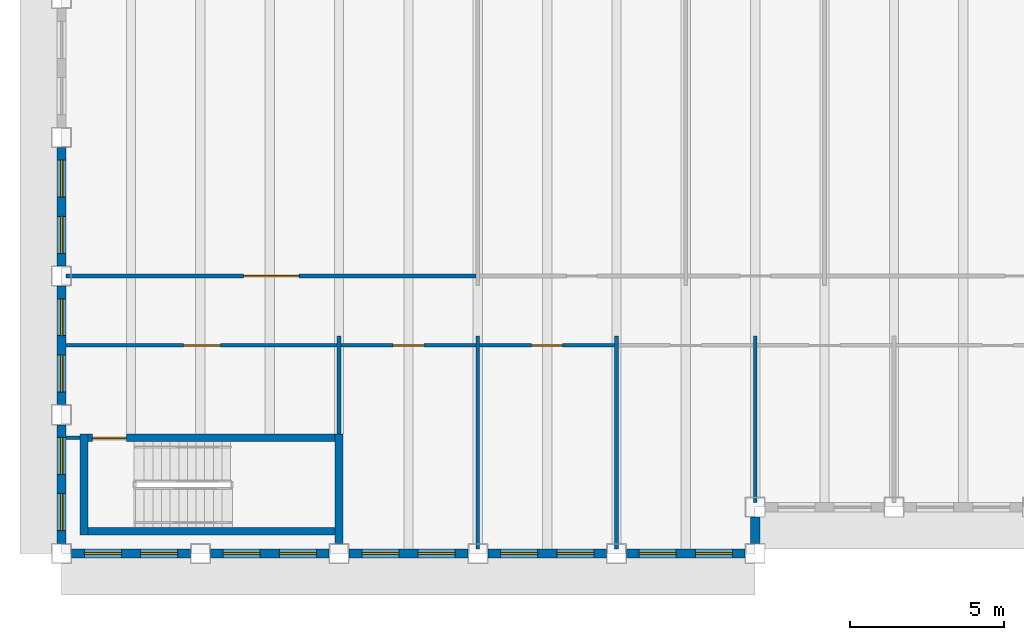
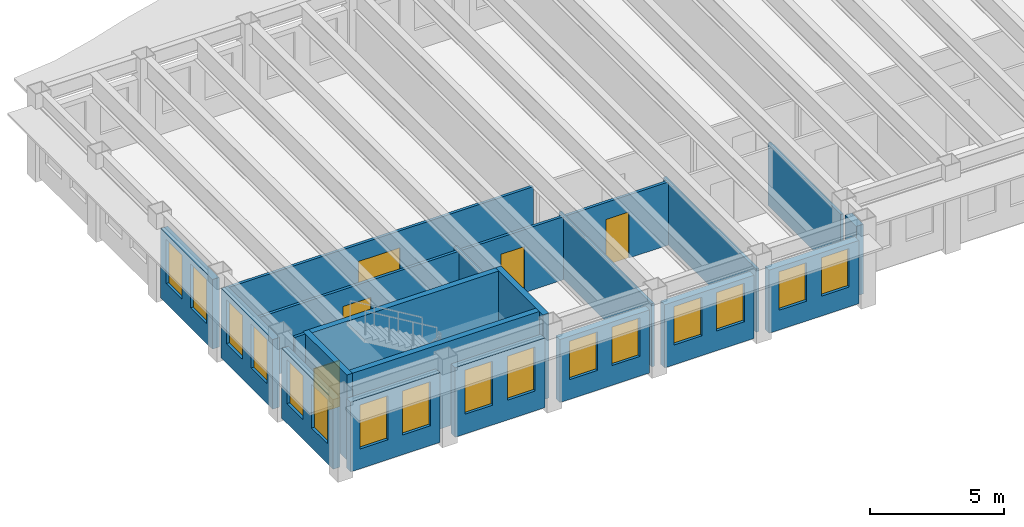
# One storey, part 2 of 12: 22 walls, 16 windows, 5 doors, 21 openings.
"""IFC4 building model written with IfcOpenShell, lengths in metres."""

from ifc_helpers import new_model, si_unit, direction, frame, frame_2d, origin, place, context, subcontext, project, spatial, rectangle, extrude, material, layer, layer_set, type_object, element, fill, save


model = new_model("IFC4")

# Units and contexts
model_context = context("Model", 3, precision=1e-05, world=origin(), true_north=direction((0.0, 1.0)))
body_context = subcontext(model_context, "Body", "Model", "MODEL_VIEW")
ifc_project = project(units=[si_unit("LENGTHUNIT", "METRE"), si_unit("AREAUNIT", "SQUARE_METRE"), si_unit("VOLUMEUNIT", "CUBIC_METRE"), si_unit("PLANEANGLEUNIT", "RADIAN"), si_unit("MASSUNIT", "GRAM", prefix="KILO")], contexts=[model_context])

# Site, building, storey
site_placement = place(None, origin())
site = spatial("IfcSite", under=ifc_project, at=site_placement, CompositionType="ELEMENT")
building_placement = place(site_placement, origin())
building = spatial("IfcBuilding", under=site, at=building_placement, Name="Sennacour Bend Tower", CompositionType="ELEMENT")
storey_placement = place(building_placement, frame((0.0, 0.0, 273.0)))
storey = spatial("IfcBuildingStorey", under=building, at=storey_placement, Name="L63", CompositionType="ELEMENT", Elevation=273.0)

# Walls
ifc_material_1 = material(Name="Plasterboard partition on steel studs", Category="steel")
ifc_layer_1 = layer(ifc_material_1, 0.1201171875, Name="Plasterboard partition on steel studs", Category="steel")
ifc_layer_set_1 = layer_set([ifc_layer_1], Name="Plasterboard partition on steel studs")
wall_type_1 = type_object("IfcWallType", Name="Partition 120", PredefinedType="PARTITIONING", material=ifc_layer_set_1)
wall_1_placement = place(storey_placement, frame((9.0, 3.875, 0.0), z_axis=(0.0, 0.0, 1.0), x_axis=(0.0, 1.0, 0.0)))
element("IfcWall", 1, at=wall_1_placement, inside=storey, type_object=wall_type_1, Name="P-L63-W005a", PredefinedType="PARTITIONING", context=body_context, shape_type="SweptSolid", body=[
    extrude(rectangle(XDim=3.175048828125, YDim=0.1201171875, at=frame_2d((1.58740234375, 0.0))), origin(), (0.0, 0.0, 1.0), 2.8701171875),
])
for number, where, z_axis, x_axis, name in (
    (2, (13.5, 0.14990234375, 0.0), (0.0, 0.0, 1.0), (0.0, 1.0, 0.0), "P-L63-W006a"),
    (3, (18.0, 0.14990234375, 0.0), (0.0, 0.0, 1.0), (0.0, 1.0, 0.0), "P-L63-W008a"),
):
    element("IfcWall", number, at=place(storey_placement, frame(where, z_axis=z_axis, x_axis=x_axis)), inside=storey, type_object=wall_type_1, Name=name, PredefinedType="PARTITIONING", context=body_context, shape_type="SweptSolid", body=[
        extrude(rectangle(XDim=6.900146484375, YDim=0.1201171875, at=frame_2d((3.4501953125, 0.0))), origin(), (0.0, 0.0, 1.0), 2.8701171875),
    ])
wall_2_placement = place(storey_placement, frame((22.5, 1.64990234375, 0.0), z_axis=(0.0, 0.0, 1.0), x_axis=(0.0, 1.0, 0.0)))
element("IfcWall", 4, at=wall_2_placement, inside=storey, type_object=wall_type_1, Name="P-L63-W010a", PredefinedType="PARTITIONING", context=body_context, shape_type="SweptSolid", body=[
    extrude(rectangle(XDim=5.400146484375, YDim=0.1201171875, at=frame_2d((2.7001953125, 0.0))), origin(), (0.0, 0.0, 1.0), 2.8701171875),
])
wall_3_placement = place(storey_placement, frame((0.14990234375, 3.75, 0.0), z_axis=(0.0, 0.0, 1.0), x_axis=(1.0, 0.0, 0.0)))
element("IfcWall", 5, at=wall_3_placement, inside=storey, type_object=wall_type_1, Name="P-L63-W037a", PredefinedType="PARTITIONING", context=body_context, shape_type="SweptSolid", body=[
    extrude(rectangle(XDim=0.4501953125, YDim=0.1201171875, at=frame_2d((0.22509765625, 0.0))), origin(), (0.0, 0.0, 1.0), 3.85009765625),
])

# Wall, opening, door
wall_4_placement = place(storey_placement, frame((9.06005859375, 6.75, 0.0), z_axis=(0.0, 0.0, 1.0), x_axis=(1.0, 0.0, 0.0)))
wall_4 = element("IfcWall", 6, at=wall_4_placement, inside=storey, type_object=wall_type_1, Name="P-L63-W043ab", PredefinedType="PARTITIONING", context=body_context, shape_type="SweptSolid", body=[
    extrude(rectangle(XDim=4.3798828125, YDim=0.1201171875, at=frame_2d((2.18994140625, 0.0))), origin(), (0.0, 0.0, 1.0), 2.8701171875),
])
opening_1_placement = place(wall_4_placement, frame((1.68994140625, 0.0, 0.0)))
opening_1 = element("IfcOpeningElement", 7, at=opening_1_placement, cuts=wall_4, Name="Opening OD2", PredefinedType="OPENING", context=body_context, shape_type="SweptSolid", body=[
    extrude(rectangle(XDim=1.0, YDim=2.10009765625, at=frame_2d((0.5, 1.050048828125))), frame((0.0, 0.070068359375, 0.0), z_axis=(0.0, -1.0, 0.0), x_axis=(1.0, 0.0, 0.0)), (0.0, 0.0, 1.0), 0.14013671875),
])
ifc_material_2 = material(Name="Timber", Category="wood")
door_type_1 = type_object("IfcDoorType", Name="DR-OFFICE-1000", OperationType="NOTDEFINED", PredefinedType="DOOR", material=ifc_material_2)
door_1_placement = place(opening_1_placement, origin())
door_1 = element("IfcDoor", 8, at=door_1_placement, inside=storey, type_object=door_type_1, Name="Door", OperationType="SINGLE_SWING_LEFT", OverallHeight=2.10009765625, OverallWidth=1.0, PredefinedType="DOOR", context=body_context, shape_type="SweptSolid", body=[
    extrude(rectangle(XDim=1.0, YDim=2.10009765625, at=frame_2d((0.5, 1.050048828125))), frame((0.0, 0.02490234375, 0.0), z_axis=(0.0, -1.0, 0.0), x_axis=(1.0, 0.0, 0.0)), (0.0, 0.0, 1.0), 0.050048828125),
])
fill(opening_1, door_1)

wall_5_placement = place(storey_placement, frame((13.56005859375, 6.75, 0.0), z_axis=(0.0, 0.0, 1.0), x_axis=(1.0, 0.0, 0.0)))
wall_5 = element("IfcWall", 9, at=wall_5_placement, inside=storey, type_object=wall_type_1, Name="P-L63-W043ac", PredefinedType="PARTITIONING", context=body_context, shape_type="SweptSolid", body=[
    extrude(rectangle(XDim=4.3798828125, YDim=0.1201171875, at=frame_2d((2.18994140625, 0.0))), origin(), (0.0, 0.0, 1.0), 2.8701171875),
])
opening_2_placement = place(wall_5_placement, frame((1.68994140625, 0.0, 0.0)))
opening_2 = element("IfcOpeningElement", 10, at=opening_2_placement, cuts=wall_5, Name="Opening OD2", PredefinedType="OPENING", context=body_context, shape_type="SweptSolid", body=[
    extrude(rectangle(XDim=1.0, YDim=2.10009765625, at=frame_2d((0.5, 1.050048828125))), frame((0.0, 0.070068359375, 0.0), z_axis=(0.0, -1.0, 0.0), x_axis=(1.0, 0.0, 0.0)), (0.0, 0.0, 1.0), 0.14013671875),
])
door_2_placement = place(opening_2_placement, origin())
door_2 = element("IfcDoor", 11, at=door_2_placement, inside=storey, type_object=door_type_1, Name="Door", OperationType="SINGLE_SWING_LEFT", OverallHeight=2.10009765625, OverallWidth=1.0, PredefinedType="DOOR", context=body_context, shape_type="SweptSolid", body=[
    extrude(rectangle(XDim=1.0, YDim=2.10009765625, at=frame_2d((0.5, 1.050048828125))), frame((0.0, 0.02490234375, 0.0), z_axis=(0.0, -1.0, 0.0), x_axis=(1.0, 0.0, 0.0)), (0.0, 0.0, 1.0), 0.050048828125),
])
fill(opening_2, door_2)

wall_6_placement = place(storey_placement, frame((0.14990234375, 9.0, 0.0), z_axis=(0.0, 0.0, 1.0), x_axis=(1.0, 0.0, 0.0)))
wall_6 = element("IfcWall", 12, at=wall_6_placement, inside=storey, type_object=wall_type_1, Name="P-L63-W044aa", PredefinedType="PARTITIONING", context=body_context, shape_type="SweptSolid", body=[
    extrude(rectangle(XDim=13.2900390625, YDim=0.1201171875, at=frame_2d((6.64501953125, 0.0))), origin(), (0.0, 0.0, 1.0), 2.8701171875),
])
opening_3_placement = place(wall_6_placement, frame((5.755126953125, 0.0, 0.0)))
opening_3 = element("IfcOpeningElement", 13, at=opening_3_placement, cuts=wall_6, Name="Opening OD3", PredefinedType="OPENING", context=body_context, shape_type="SweptSolid", body=[
    extrude(rectangle(XDim=1.800048828125, YDim=2.10009765625, at=frame_2d((0.89990234375, 1.050048828125))), frame((0.0, 0.070068359375, 0.0), z_axis=(0.0, -1.0, 0.0), x_axis=(1.0, 0.0, 0.0)), (0.0, 0.0, 1.0), 0.14013671875),
])
door_type_2 = type_object("IfcDoorType", Name="DR-OFFICE-1800", OperationType="NOTDEFINED", PredefinedType="DOOR", material=ifc_material_2)
door_3_placement = place(opening_3_placement, origin())
door_3 = element("IfcDoor", 14, at=door_3_placement, inside=storey, type_object=door_type_2, Name="Door", OperationType="DOUBLE_DOOR_SINGLE_SWING", OverallHeight=2.10009765625, OverallWidth=1.800048828125, PredefinedType="DOOR", context=body_context, shape_type="SweptSolid", body=[
    extrude(rectangle(XDim=1.800048828125, YDim=2.10009765625, at=frame_2d((0.89990234375, 1.050048828125))), frame((0.0, 0.02490234375, 0.0), z_axis=(0.0, -1.0, 0.0), x_axis=(1.0, 0.0, 0.0)), (0.0, 0.0, 1.0), 0.050048828125),
])
fill(opening_3, door_3)

ifc_layer_2 = layer(ifc_material_1, 0.1201171875, Name="Plasterboard partition on steel studs", Category="steel")
ifc_layer_set_2 = layer_set([ifc_layer_2], Name="Plasterboard partition on steel studs")
wall_type_2 = type_object("IfcWallType", Name="Partition 120 EI 30", PredefinedType="PARTITIONING", material=ifc_layer_set_2)
wall_7_placement = place(storey_placement, frame((0.14990234375, 6.75, 0.0), z_axis=(0.0, 0.0, 1.0), x_axis=(1.0, 0.0, 0.0)))
wall_7 = element("IfcWall", 15, at=wall_7_placement, inside=storey, type_object=wall_type_2, Name="P-L63-W043aa", PredefinedType="PARTITIONING", context=body_context, shape_type="SweptSolid", body=[
    extrude(rectangle(XDim=8.7900390625, YDim=0.1201171875, at=frame_2d((4.39501953125, 0.0))), origin(), (0.0, 0.0, 1.0), 2.8701171875),
])
opening_4_placement = place(wall_7_placement, frame((3.80517578125, 0.0, 0.0)))
opening_4 = element("IfcOpeningElement", 16, at=opening_4_placement, cuts=wall_7, Name="Opening KD2", PredefinedType="OPENING", context=body_context, shape_type="SweptSolid", body=[
    extrude(rectangle(XDim=1.199951171875, YDim=2.10009765625, at=frame_2d((0.60009765625, 1.050048828125))), frame((0.0, 0.070068359375, 0.0), z_axis=(0.0, -1.0, 0.0), x_axis=(1.0, 0.0, 0.0)), (0.0, 0.0, 1.0), 0.14013671875),
])
ifc_material_3 = material(Name="Painted steel", Category="steel")
door_type_3 = type_object("IfcDoorType", Name="DR-CORRIDOR-1200", OperationType="NOTDEFINED", PredefinedType="DOOR", material=ifc_material_3)
door_4_placement = place(opening_4_placement, origin())
door_4 = element("IfcDoor", 17, at=door_4_placement, inside=storey, type_object=door_type_3, Name="Door", OperationType="SINGLE_SWING_RIGHT", OverallHeight=2.10009765625, OverallWidth=1.199951171875, PredefinedType="DOOR", context=body_context, shape_type="SweptSolid", body=[
    extrude(rectangle(XDim=1.199951171875, YDim=2.10009765625, at=frame_2d((0.60009765625, 1.050048828125))), frame((0.0, 0.02490234375, 0.0), z_axis=(0.0, -1.0, 0.0), x_axis=(1.0, 0.0, 0.0)), (0.0, 0.0, 1.0), 0.050048828125),
])
fill(opening_4, door_4)

# Wall
ifc_material_4 = material(Name="Warm limestone cladding", Category="masonry")
ifc_layer_3 = layer(ifc_material_4, 0.050048828125, Name="Warm limestone cladding", Category="masonry")
ifc_material_5 = material(Name="Precast concrete C40/50", Category="concrete")
ifc_layer_4 = layer(ifc_material_5, 0.25, Name="Precast concrete C40/50", Category="concrete")
ifc_layer_set_3 = layer_set([ifc_layer_3, ifc_layer_4], Name="Precast concrete C40/50 with limestone cladding")
wall_type_3 = type_object("IfcWallType", Name="STONE-CLAD PRECAST SPANDREL 300", PredefinedType="STANDARD", material=ifc_layer_set_3)
wall_8_placement = place(storey_placement, frame((22.5, 0.324951171875, 0.0), z_axis=(0.0, 0.0, 1.0), x_axis=(0.0, 1.0, 0.0)))
element("IfcWall", 18, at=wall_8_placement, inside=storey, type_object=wall_type_3, Name="Stone spandrel and pier wall L63 00.00", PredefinedType="STANDARD", context=body_context, shape_type="SweptSolid", body=[
    extrude(rectangle(XDim=0.85009765625, YDim=0.300048828125, at=frame_2d((0.425048828125, 0.0))), origin(), (0.0, 0.0, 1.0), 3.162109375),
])

# Wall, openings, windows
wall_9_placement = place(storey_placement, frame((0.0, 13.175048828125, 0.0), z_axis=(0.0, 0.0, 1.0), x_axis=(0.0, -1.0, 0.0)))
wall_9 = element("IfcWall", 19, at=wall_9_placement, inside=storey, type_object=wall_type_3, Name="Stone spandrel and pier wall L63 10.02", PredefinedType="STANDARD", context=body_context, shape_type="SweptSolid", body=[
    extrude(rectangle(XDim=3.85009765625, YDim=0.300048828125, at=frame_2d((1.925048828125, 0.0))), origin(), (0.0, 0.0, 1.0), 3.162109375),
])
opening_5_placement = place(wall_9_placement, frame((0.41259765625, 0.0, 0.89990234375)))
opening_5 = element("IfcOpeningElement", 20, at=opening_5_placement, cuts=wall_9, Name="Opening W14", PredefinedType="OPENING", context=body_context, shape_type="SweptSolid", body=[
    extrude(rectangle(XDim=1.199951171875, YDim=2.0, at=frame_2d((0.60009765625, 1.0))), frame((0.0, 0.16015625, 0.0), z_axis=(0.0, -1.0, 0.0), x_axis=(1.0, 0.0, 0.0)), (0.0, 0.0, 1.0), 0.320068359375),
])
opening_6_placement = place(wall_9_placement, frame((2.237548828125, 0.0, 0.89990234375)))
opening_6 = element("IfcOpeningElement", 21, at=opening_6_placement, cuts=wall_9, Name="Opening W14", PredefinedType="OPENING", context=body_context, shape_type="SweptSolid", body=[
    extrude(rectangle(XDim=1.199951171875, YDim=2.0, at=frame_2d((0.60009765625, 1.0))), frame((0.0, 0.16015625, 0.0), z_axis=(0.0, -1.0, 0.0), x_axis=(1.0, 0.0, 0.0)), (0.0, 0.0, 1.0), 0.320068359375),
])
ifc_material_6 = material(Name="Clear low-emissivity glass", Category="glass")
window_type_1 = type_object("IfcWindowType", Name="WIN-RIBBON-1200x2000", PartitioningType="SINGLE_PANEL", PredefinedType="WINDOW", material=ifc_material_6)
window_1_placement = place(opening_5_placement, origin())
window_1 = element("IfcWindow", 22, at=window_1_placement, inside=storey, type_object=window_type_1, Name="Ribbon window L63 10.02.0", OverallHeight=2.0, OverallWidth=1.199951171875, PartitioningType="SINGLE_PANEL", PredefinedType="WINDOW", context=body_context, shape_type="SweptSolid", body=[
    extrude(rectangle(XDim=1.199951171875, YDim=2.0, at=frame_2d((0.60009765625, 1.0))), frame((0.0, 0.030029296875, 0.0), z_axis=(0.0, -1.0, 0.0), x_axis=(1.0, 0.0, 0.0)), (0.0, 0.0, 1.0), 0.06005859375),
])
fill(opening_5, window_1)
window_2_placement = place(opening_6_placement, origin())
window_2 = element("IfcWindow", 23, at=window_2_placement, inside=storey, type_object=window_type_1, Name="Ribbon window L63 10.02.1", OverallHeight=2.0, OverallWidth=1.199951171875, PartitioningType="SINGLE_PANEL", PredefinedType="WINDOW", context=body_context, shape_type="SweptSolid", body=[
    extrude(rectangle(XDim=1.199951171875, YDim=2.0, at=frame_2d((0.60009765625, 1.0))), frame((0.0, 0.030029296875, 0.0), z_axis=(0.0, -1.0, 0.0), x_axis=(1.0, 0.0, 0.0)), (0.0, 0.0, 1.0), 0.06005859375),
])
fill(opening_6, window_2)

wall_10_placement = place(storey_placement, frame((0.0, 8.675048828125, 0.0), z_axis=(0.0, 0.0, 1.0), x_axis=(0.0, -1.0, 0.0)))
wall_10 = element("IfcWall", 24, at=wall_10_placement, inside=storey, type_object=wall_type_3, Name="Stone spandrel and pier wall L63 10.03", PredefinedType="STANDARD", context=body_context, shape_type="SweptSolid", body=[
    extrude(rectangle(XDim=3.85009765625, YDim=0.300048828125, at=frame_2d((1.925048828125, 0.0))), origin(), (0.0, 0.0, 1.0), 3.162109375),
])
opening_7_placement = place(wall_10_placement, frame((0.41259765625, 0.0, 0.89990234375)))
opening_7 = element("IfcOpeningElement", 25, at=opening_7_placement, cuts=wall_10, Name="Opening W14", PredefinedType="OPENING", context=body_context, shape_type="SweptSolid", body=[
    extrude(rectangle(XDim=1.199951171875, YDim=2.0, at=frame_2d((0.60009765625, 1.0))), frame((0.0, 0.16015625, 0.0), z_axis=(0.0, -1.0, 0.0), x_axis=(1.0, 0.0, 0.0)), (0.0, 0.0, 1.0), 0.320068359375),
])
opening_8_placement = place(wall_10_placement, frame((2.237548828125, 0.0, 0.89990234375)))
opening_8 = element("IfcOpeningElement", 26, at=opening_8_placement, cuts=wall_10, Name="Opening W14", PredefinedType="OPENING", context=body_context, shape_type="SweptSolid", body=[
    extrude(rectangle(XDim=1.199951171875, YDim=2.0, at=frame_2d((0.60009765625, 1.0))), frame((0.0, 0.16015625, 0.0), z_axis=(0.0, -1.0, 0.0), x_axis=(1.0, 0.0, 0.0)), (0.0, 0.0, 1.0), 0.320068359375),
])
window_3_placement = place(opening_7_placement, origin())
window_3 = element("IfcWindow", 27, at=window_3_placement, inside=storey, type_object=window_type_1, Name="Ribbon window L63 10.03.0", OverallHeight=2.0, OverallWidth=1.199951171875, PartitioningType="SINGLE_PANEL", PredefinedType="WINDOW", context=body_context, shape_type="SweptSolid", body=[
    extrude(rectangle(XDim=1.199951171875, YDim=2.0, at=frame_2d((0.60009765625, 1.0))), frame((0.0, 0.030029296875, 0.0), z_axis=(0.0, -1.0, 0.0), x_axis=(1.0, 0.0, 0.0)), (0.0, 0.0, 1.0), 0.06005859375),
])
fill(opening_7, window_3)
window_4_placement = place(opening_8_placement, origin())
window_4 = element("IfcWindow", 28, at=window_4_placement, inside=storey, type_object=window_type_1, Name="Ribbon window L63 10.03.1", OverallHeight=2.0, OverallWidth=1.199951171875, PartitioningType="SINGLE_PANEL", PredefinedType="WINDOW", context=body_context, shape_type="SweptSolid", body=[
    extrude(rectangle(XDim=1.199951171875, YDim=2.0, at=frame_2d((0.60009765625, 1.0))), frame((0.0, 0.030029296875, 0.0), z_axis=(0.0, -1.0, 0.0), x_axis=(1.0, 0.0, 0.0)), (0.0, 0.0, 1.0), 0.06005859375),
])
fill(opening_8, window_4)

wall_11_placement = place(storey_placement, frame((0.0, 4.175048828125, 0.0), z_axis=(0.0, 0.0, 1.0), x_axis=(0.0, -1.0, 0.0)))
wall_11 = element("IfcWall", 29, at=wall_11_placement, inside=storey, type_object=wall_type_3, Name="Stone spandrel and pier wall L63 10.04", PredefinedType="STANDARD", context=body_context, shape_type="SweptSolid", body=[
    extrude(rectangle(XDim=3.85009765625, YDim=0.300048828125, at=frame_2d((1.925048828125, 0.0))), origin(), (0.0, 0.0, 1.0), 3.162109375),
])
opening_9_placement = place(wall_11_placement, frame((0.41259765625, 0.0, 0.89990234375)))
opening_9 = element("IfcOpeningElement", 30, at=opening_9_placement, cuts=wall_11, Name="Opening W14", PredefinedType="OPENING", context=body_context, shape_type="SweptSolid", body=[
    extrude(rectangle(XDim=1.199951171875, YDim=2.0, at=frame_2d((0.60009765625, 1.0))), frame((0.0, 0.16015625, 0.0), z_axis=(0.0, -1.0, 0.0), x_axis=(1.0, 0.0, 0.0)), (0.0, 0.0, 1.0), 0.320068359375),
])
opening_10_placement = place(wall_11_placement, frame((2.237548828125, 0.0, 0.89990234375)))
opening_10 = element("IfcOpeningElement", 31, at=opening_10_placement, cuts=wall_11, Name="Opening W14", PredefinedType="OPENING", context=body_context, shape_type="SweptSolid", body=[
    extrude(rectangle(XDim=1.199951171875, YDim=2.0, at=frame_2d((0.60009765625, 1.0))), frame((0.0, 0.16015625, 0.0), z_axis=(0.0, -1.0, 0.0), x_axis=(1.0, 0.0, 0.0)), (0.0, 0.0, 1.0), 0.320068359375),
])
window_5_placement = place(opening_9_placement, origin())
window_5 = element("IfcWindow", 32, at=window_5_placement, inside=storey, type_object=window_type_1, Name="Ribbon window L63 10.04.0", OverallHeight=2.0, OverallWidth=1.199951171875, PartitioningType="SINGLE_PANEL", PredefinedType="WINDOW", context=body_context, shape_type="SweptSolid", body=[
    extrude(rectangle(XDim=1.199951171875, YDim=2.0, at=frame_2d((0.60009765625, 1.0))), frame((0.0, 0.030029296875, 0.0), z_axis=(0.0, -1.0, 0.0), x_axis=(1.0, 0.0, 0.0)), (0.0, 0.0, 1.0), 0.06005859375),
])
fill(opening_9, window_5)
window_6_placement = place(opening_10_placement, origin())
window_6 = element("IfcWindow", 33, at=window_6_placement, inside=storey, type_object=window_type_1, Name="Ribbon window L63 10.04.1", OverallHeight=2.0, OverallWidth=1.199951171875, PartitioningType="SINGLE_PANEL", PredefinedType="WINDOW", context=body_context, shape_type="SweptSolid", body=[
    extrude(rectangle(XDim=1.199951171875, YDim=2.0, at=frame_2d((0.60009765625, 1.0))), frame((0.0, 0.030029296875, 0.0), z_axis=(0.0, -1.0, 0.0), x_axis=(1.0, 0.0, 0.0)), (0.0, 0.0, 1.0), 0.06005859375),
])
fill(opening_10, window_6)

wall_12_placement = place(storey_placement, frame((0.324951171875, 0.0, 0.0), z_axis=(0.0, 0.0, 1.0), x_axis=(1.0, 0.0, 0.0)))
wall_12 = element("IfcWall", 34, at=wall_12_placement, inside=storey, type_object=wall_type_3, Name="Stone spandrel and pier wall L63 11.00", PredefinedType="STANDARD", context=body_context, shape_type="SweptSolid", body=[
    extrude(rectangle(XDim=3.85009765625, YDim=0.300048828125, at=frame_2d((1.925048828125, 0.0))), origin(), (0.0, 0.0, 1.0), 3.162109375),
])
opening_11_placement = place(wall_12_placement, frame((0.41259765625, 0.0, 0.89990234375)))
opening_11 = element("IfcOpeningElement", 35, at=opening_11_placement, cuts=wall_12, Name="Opening W14", PredefinedType="OPENING", context=body_context, shape_type="SweptSolid", body=[
    extrude(rectangle(XDim=1.199951171875, YDim=2.0, at=frame_2d((0.60009765625, 1.0))), frame((0.0, 0.16015625, 0.0), z_axis=(0.0, -1.0, 0.0), x_axis=(1.0, 0.0, 0.0)), (0.0, 0.0, 1.0), 0.320068359375),
])
opening_12_placement = place(wall_12_placement, frame((2.237548828125, 0.0, 0.89990234375)))
opening_12 = element("IfcOpeningElement", 36, at=opening_12_placement, cuts=wall_12, Name="Opening W14", PredefinedType="OPENING", context=body_context, shape_type="SweptSolid", body=[
    extrude(rectangle(XDim=1.199951171875, YDim=2.0, at=frame_2d((0.60009765625, 1.0))), frame((0.0, 0.16015625, 0.0), z_axis=(0.0, -1.0, 0.0), x_axis=(1.0, 0.0, 0.0)), (0.0, 0.0, 1.0), 0.320068359375),
])
window_7_placement = place(opening_11_placement, origin())
window_7 = element("IfcWindow", 37, at=window_7_placement, inside=storey, type_object=window_type_1, Name="Ribbon window L63 11.00.0", OverallHeight=2.0, OverallWidth=1.199951171875, PartitioningType="SINGLE_PANEL", PredefinedType="WINDOW", context=body_context, shape_type="SweptSolid", body=[
    extrude(rectangle(XDim=1.199951171875, YDim=2.0, at=frame_2d((0.60009765625, 1.0))), frame((0.0, 0.030029296875, 0.0), z_axis=(0.0, -1.0, 0.0), x_axis=(1.0, 0.0, 0.0)), (0.0, 0.0, 1.0), 0.06005859375),
])
fill(opening_11, window_7)
window_8_placement = place(opening_12_placement, origin())
window_8 = element("IfcWindow", 38, at=window_8_placement, inside=storey, type_object=window_type_1, Name="Ribbon window L63 11.00.1", OverallHeight=2.0, OverallWidth=1.199951171875, PartitioningType="SINGLE_PANEL", PredefinedType="WINDOW", context=body_context, shape_type="SweptSolid", body=[
    extrude(rectangle(XDim=1.199951171875, YDim=2.0, at=frame_2d((0.60009765625, 1.0))), frame((0.0, 0.030029296875, 0.0), z_axis=(0.0, -1.0, 0.0), x_axis=(1.0, 0.0, 0.0)), (0.0, 0.0, 1.0), 0.06005859375),
])
fill(opening_12, window_8)

wall_13_placement = place(storey_placement, frame((4.824951171875, 0.0, 0.0), z_axis=(0.0, 0.0, 1.0), x_axis=(1.0, 0.0, 0.0)))
wall_13 = element("IfcWall", 39, at=wall_13_placement, inside=storey, type_object=wall_type_3, Name="Stone spandrel and pier wall L63 11.01", PredefinedType="STANDARD", context=body_context, shape_type="SweptSolid", body=[
    extrude(rectangle(XDim=3.85009765625, YDim=0.300048828125, at=frame_2d((1.925048828125, 0.0))), origin(), (0.0, 0.0, 1.0), 3.162109375),
])
opening_13_placement = place(wall_13_placement, frame((0.41259765625, 0.0, 0.89990234375)))
opening_13 = element("IfcOpeningElement", 40, at=opening_13_placement, cuts=wall_13, Name="Opening W14", PredefinedType="OPENING", context=body_context, shape_type="SweptSolid", body=[
    extrude(rectangle(XDim=1.199951171875, YDim=2.0, at=frame_2d((0.60009765625, 1.0))), frame((0.0, 0.16015625, 0.0), z_axis=(0.0, -1.0, 0.0), x_axis=(1.0, 0.0, 0.0)), (0.0, 0.0, 1.0), 0.320068359375),
])
opening_14_placement = place(wall_13_placement, frame((2.237548828125, 0.0, 0.89990234375)))
opening_14 = element("IfcOpeningElement", 41, at=opening_14_placement, cuts=wall_13, Name="Opening W14", PredefinedType="OPENING", context=body_context, shape_type="SweptSolid", body=[
    extrude(rectangle(XDim=1.199951171875, YDim=2.0, at=frame_2d((0.60009765625, 1.0))), frame((0.0, 0.16015625, 0.0), z_axis=(0.0, -1.0, 0.0), x_axis=(1.0, 0.0, 0.0)), (0.0, 0.0, 1.0), 0.320068359375),
])
window_9_placement = place(opening_13_placement, origin())
window_9 = element("IfcWindow", 42, at=window_9_placement, inside=storey, type_object=window_type_1, Name="Ribbon window L63 11.01.0", OverallHeight=2.0, OverallWidth=1.199951171875, PartitioningType="SINGLE_PANEL", PredefinedType="WINDOW", context=body_context, shape_type="SweptSolid", body=[
    extrude(rectangle(XDim=1.199951171875, YDim=2.0, at=frame_2d((0.60009765625, 1.0))), frame((0.0, 0.030029296875, 0.0), z_axis=(0.0, -1.0, 0.0), x_axis=(1.0, 0.0, 0.0)), (0.0, 0.0, 1.0), 0.06005859375),
])
fill(opening_13, window_9)
window_10_placement = place(opening_14_placement, origin())
window_10 = element("IfcWindow", 43, at=window_10_placement, inside=storey, type_object=window_type_1, Name="Ribbon window L63 11.01.1", OverallHeight=2.0, OverallWidth=1.199951171875, PartitioningType="SINGLE_PANEL", PredefinedType="WINDOW", context=body_context, shape_type="SweptSolid", body=[
    extrude(rectangle(XDim=1.199951171875, YDim=2.0, at=frame_2d((0.60009765625, 1.0))), frame((0.0, 0.030029296875, 0.0), z_axis=(0.0, -1.0, 0.0), x_axis=(1.0, 0.0, 0.0)), (0.0, 0.0, 1.0), 0.06005859375),
])
fill(opening_14, window_10)

wall_14_placement = place(storey_placement, frame((9.324951171875, 0.0, 0.0), z_axis=(0.0, 0.0, 1.0), x_axis=(1.0, 0.0, 0.0)))
wall_14 = element("IfcWall", 44, at=wall_14_placement, inside=storey, type_object=wall_type_3, Name="Stone spandrel and pier wall L63 11.02", PredefinedType="STANDARD", context=body_context, shape_type="SweptSolid", body=[
    extrude(rectangle(XDim=3.85009765625, YDim=0.300048828125, at=frame_2d((1.925048828125, 0.0))), origin(), (0.0, 0.0, 1.0), 2.8701171875),
])
opening_15_placement = place(wall_14_placement, frame((0.41259765625, 0.0, 0.89990234375)))
opening_15 = element("IfcOpeningElement", 45, at=opening_15_placement, cuts=wall_14, Name="Opening W16", PredefinedType="OPENING", context=body_context, shape_type="SweptSolid", body=[
    extrude(rectangle(XDim=1.199951171875, YDim=1.75, at=frame_2d((0.60009765625, 0.875))), frame((0.0, 0.16015625, 0.0), z_axis=(0.0, -1.0, 0.0), x_axis=(1.0, 0.0, 0.0)), (0.0, 0.0, 1.0), 0.320068359375),
])
opening_16_placement = place(wall_14_placement, frame((2.237548828125, 0.0, 0.89990234375)))
opening_16 = element("IfcOpeningElement", 46, at=opening_16_placement, cuts=wall_14, Name="Opening W16", PredefinedType="OPENING", context=body_context, shape_type="SweptSolid", body=[
    extrude(rectangle(XDim=1.199951171875, YDim=1.75, at=frame_2d((0.60009765625, 0.875))), frame((0.0, 0.16015625, 0.0), z_axis=(0.0, -1.0, 0.0), x_axis=(1.0, 0.0, 0.0)), (0.0, 0.0, 1.0), 0.320068359375),
])
window_type_2 = type_object("IfcWindowType", Name="WIN-RIBBON-1200x1750", PartitioningType="SINGLE_PANEL", PredefinedType="WINDOW", material=ifc_material_6)
window_11_placement = place(opening_15_placement, origin())
window_11 = element("IfcWindow", 47, at=window_11_placement, inside=storey, type_object=window_type_2, Name="Ribbon window L63 11.02.0", OverallHeight=1.75, OverallWidth=1.199951171875, PartitioningType="SINGLE_PANEL", PredefinedType="WINDOW", context=body_context, shape_type="SweptSolid", body=[
    extrude(rectangle(XDim=1.199951171875, YDim=1.75, at=frame_2d((0.60009765625, 0.875))), frame((0.0, 0.030029296875, 0.0), z_axis=(0.0, -1.0, 0.0), x_axis=(1.0, 0.0, 0.0)), (0.0, 0.0, 1.0), 0.06005859375),
])
fill(opening_15, window_11)
window_12_placement = place(opening_16_placement, origin())
window_12 = element("IfcWindow", 48, at=window_12_placement, inside=storey, type_object=window_type_2, Name="Ribbon window L63 11.02.1", OverallHeight=1.75, OverallWidth=1.199951171875, PartitioningType="SINGLE_PANEL", PredefinedType="WINDOW", context=body_context, shape_type="SweptSolid", body=[
    extrude(rectangle(XDim=1.199951171875, YDim=1.75, at=frame_2d((0.60009765625, 0.875))), frame((0.0, 0.030029296875, 0.0), z_axis=(0.0, -1.0, 0.0), x_axis=(1.0, 0.0, 0.0)), (0.0, 0.0, 1.0), 0.06005859375),
])
fill(opening_16, window_12)

wall_15_placement = place(storey_placement, frame((13.824951171875, 0.0, 0.0), z_axis=(0.0, 0.0, 1.0), x_axis=(1.0, 0.0, 0.0)))
wall_15 = element("IfcWall", 49, at=wall_15_placement, inside=storey, type_object=wall_type_3, Name="Stone spandrel and pier wall L63 11.03", PredefinedType="STANDARD", context=body_context, shape_type="SweptSolid", body=[
    extrude(rectangle(XDim=3.85009765625, YDim=0.300048828125, at=frame_2d((1.925048828125, 0.0))), origin(), (0.0, 0.0, 1.0), 2.8701171875),
])
opening_17_placement = place(wall_15_placement, frame((0.41259765625, 0.0, 0.89990234375)))
opening_17 = element("IfcOpeningElement", 50, at=opening_17_placement, cuts=wall_15, Name="Opening W16", PredefinedType="OPENING", context=body_context, shape_type="SweptSolid", body=[
    extrude(rectangle(XDim=1.199951171875, YDim=1.75, at=frame_2d((0.60009765625, 0.875))), frame((0.0, 0.16015625, 0.0), z_axis=(0.0, -1.0, 0.0), x_axis=(1.0, 0.0, 0.0)), (0.0, 0.0, 1.0), 0.320068359375),
])
opening_18_placement = place(wall_15_placement, frame((2.237548828125, 0.0, 0.89990234375)))
opening_18 = element("IfcOpeningElement", 51, at=opening_18_placement, cuts=wall_15, Name="Opening W16", PredefinedType="OPENING", context=body_context, shape_type="SweptSolid", body=[
    extrude(rectangle(XDim=1.199951171875, YDim=1.75, at=frame_2d((0.60009765625, 0.875))), frame((0.0, 0.16015625, 0.0), z_axis=(0.0, -1.0, 0.0), x_axis=(1.0, 0.0, 0.0)), (0.0, 0.0, 1.0), 0.320068359375),
])
window_13_placement = place(opening_17_placement, origin())
window_13 = element("IfcWindow", 52, at=window_13_placement, inside=storey, type_object=window_type_2, Name="Ribbon window L63 11.03.0", OverallHeight=1.75, OverallWidth=1.199951171875, PartitioningType="SINGLE_PANEL", PredefinedType="WINDOW", context=body_context, shape_type="SweptSolid", body=[
    extrude(rectangle(XDim=1.199951171875, YDim=1.75, at=frame_2d((0.60009765625, 0.875))), frame((0.0, 0.030029296875, 0.0), z_axis=(0.0, -1.0, 0.0), x_axis=(1.0, 0.0, 0.0)), (0.0, 0.0, 1.0), 0.06005859375),
])
fill(opening_17, window_13)
window_14_placement = place(opening_18_placement, origin())
window_14 = element("IfcWindow", 53, at=window_14_placement, inside=storey, type_object=window_type_2, Name="Ribbon window L63 11.03.1", OverallHeight=1.75, OverallWidth=1.199951171875, PartitioningType="SINGLE_PANEL", PredefinedType="WINDOW", context=body_context, shape_type="SweptSolid", body=[
    extrude(rectangle(XDim=1.199951171875, YDim=1.75, at=frame_2d((0.60009765625, 0.875))), frame((0.0, 0.030029296875, 0.0), z_axis=(0.0, -1.0, 0.0), x_axis=(1.0, 0.0, 0.0)), (0.0, 0.0, 1.0), 0.06005859375),
])
fill(opening_18, window_14)

wall_16_placement = place(storey_placement, frame((18.324951171875, 0.0, 0.0), z_axis=(0.0, 0.0, 1.0), x_axis=(1.0, 0.0, 0.0)))
wall_16 = element("IfcWall", 54, at=wall_16_placement, inside=storey, type_object=wall_type_3, Name="Stone spandrel and pier wall L63 11.04", PredefinedType="STANDARD", context=body_context, shape_type="SweptSolid", body=[
    extrude(rectangle(XDim=3.85009765625, YDim=0.300048828125, at=frame_2d((1.925048828125, 0.0))), origin(), (0.0, 0.0, 1.0), 2.8701171875),
])
opening_19_placement = place(wall_16_placement, frame((0.41259765625, 0.0, 0.89990234375)))
opening_19 = element("IfcOpeningElement", 55, at=opening_19_placement, cuts=wall_16, Name="Opening W16", PredefinedType="OPENING", context=body_context, shape_type="SweptSolid", body=[
    extrude(rectangle(XDim=1.199951171875, YDim=1.75, at=frame_2d((0.60009765625, 0.875))), frame((0.0, 0.16015625, 0.0), z_axis=(0.0, -1.0, 0.0), x_axis=(1.0, 0.0, 0.0)), (0.0, 0.0, 1.0), 0.320068359375),
])
opening_20_placement = place(wall_16_placement, frame((2.237548828125, 0.0, 0.89990234375)))
opening_20 = element("IfcOpeningElement", 56, at=opening_20_placement, cuts=wall_16, Name="Opening W16", PredefinedType="OPENING", context=body_context, shape_type="SweptSolid", body=[
    extrude(rectangle(XDim=1.199951171875, YDim=1.75, at=frame_2d((0.60009765625, 0.875))), frame((0.0, 0.16015625, 0.0), z_axis=(0.0, -1.0, 0.0), x_axis=(1.0, 0.0, 0.0)), (0.0, 0.0, 1.0), 0.320068359375),
])
window_15_placement = place(opening_19_placement, origin())
window_15 = element("IfcWindow", 57, at=window_15_placement, inside=storey, type_object=window_type_2, Name="Ribbon window L63 11.04.0", OverallHeight=1.75, OverallWidth=1.199951171875, PartitioningType="SINGLE_PANEL", PredefinedType="WINDOW", context=body_context, shape_type="SweptSolid", body=[
    extrude(rectangle(XDim=1.199951171875, YDim=1.75, at=frame_2d((0.60009765625, 0.875))), frame((0.0, 0.030029296875, 0.0), z_axis=(0.0, -1.0, 0.0), x_axis=(1.0, 0.0, 0.0)), (0.0, 0.0, 1.0), 0.06005859375),
])
fill(opening_19, window_15)
window_16_placement = place(opening_20_placement, origin())
window_16 = element("IfcWindow", 58, at=window_16_placement, inside=storey, type_object=window_type_2, Name="Ribbon window L63 11.04.1", OverallHeight=1.75, OverallWidth=1.199951171875, PartitioningType="SINGLE_PANEL", PredefinedType="WINDOW", context=body_context, shape_type="SweptSolid", body=[
    extrude(rectangle(XDim=1.199951171875, YDim=1.75, at=frame_2d((0.60009765625, 0.875))), frame((0.0, 0.030029296875, 0.0), z_axis=(0.0, -1.0, 0.0), x_axis=(1.0, 0.0, 0.0)), (0.0, 0.0, 1.0), 0.06005859375),
])
fill(opening_20, window_16)

# Walls
ifc_material_7 = material(Name="Concrete C60/75", Category="concrete")
ifc_layer_5 = layer(ifc_material_7, 0.25, Name="Concrete C60/75", Category="concrete")
ifc_layer_set_4 = layer_set([ifc_layer_5], Name="Concrete C60/75")
wall_type_4 = type_object("IfcWallType", Name="Stair wall 250", PredefinedType="SHEAR", material=ifc_layer_set_4)
wall_17_placement = place(storey_placement, frame((0.72509765625, 0.60009765625, 0.0), z_axis=(0.0, 0.0, 1.0), x_axis=(0.0, 1.0, 0.0)))
element("IfcWall", 59, at=wall_17_placement, inside=storey, type_object=wall_type_4, Name="P-L63-W002", PredefinedType="SHEAR", context=body_context, shape_type="SweptSolid", body=[
    extrude(rectangle(XDim=3.27490234375, YDim=0.25, at=frame_2d((1.637451171875, 0.0))), origin(), (0.0, 0.0, 1.0), 3.85009765625),
])
wall_18_placement = place(storey_placement, frame((9.0, 0.324951171875, 0.0), z_axis=(0.0, 0.0, 1.0), x_axis=(0.0, 1.0, 0.0)))
element("IfcWall", 60, at=wall_18_placement, inside=storey, type_object=wall_type_4, Name="P-L63-W004", PredefinedType="SHEAR", context=body_context, shape_type="SweptSolid", body=[
    extrude(rectangle(XDim=3.550048828125, YDim=0.25, at=frame_2d((1.77490234375, 0.0))), origin(), (0.0, 0.0, 1.0), 3.85009765625),
])
wall_19_placement = place(storey_placement, frame((0.85009765625, 0.72509765625, 0.0), z_axis=(0.0, 0.0, 1.0), x_axis=(1.0, 0.0, 0.0)))
element("IfcWall", 61, at=wall_19_placement, inside=storey, type_object=wall_type_4, Name="P-L63-W033", PredefinedType="SHEAR", context=body_context, shape_type="SweptSolid", body=[
    extrude(rectangle(XDim=8.02490234375, YDim=0.25, at=frame_2d((4.012451171875, 0.0))), origin(), (0.0, 0.0, 1.0), 3.85009765625),
])

# Wall, opening, door
wall_20_placement = place(storey_placement, frame((0.85009765625, 3.75, 0.0), z_axis=(0.0, 0.0, 1.0), x_axis=(1.0, 0.0, 0.0)))
wall_20 = element("IfcWall", 62, at=wall_20_placement, inside=storey, type_object=wall_type_4, Name="P-L63-W038", PredefinedType="SHEAR", context=body_context, shape_type="SweptSolid", body=[
    extrude(rectangle(XDim=8.02490234375, YDim=0.25, at=frame_2d((4.012451171875, 0.0))), origin(), (0.0, 0.0, 1.0), 3.85009765625),
])
opening_21_placement = place(wall_20_placement, frame((0.14990234375, 0.0, 0.0)))
opening_21 = element("IfcOpeningElement", 63, at=opening_21_placement, cuts=wall_20, Name="Opening SD", PredefinedType="OPENING", context=body_context, shape_type="SweptSolid", body=[
    extrude(rectangle(XDim=1.10009765625, YDim=2.10009765625, at=frame_2d((0.550048828125, 1.050048828125))), frame((0.0, 0.135009765625, 0.0), z_axis=(0.0, -1.0, 0.0), x_axis=(1.0, 0.0, 0.0)), (0.0, 0.0, 1.0), 0.27001953125),
])
door_type_4 = type_object("IfcDoorType", Name="DR-STAIR-1100", OperationType="NOTDEFINED", PredefinedType="DOOR", material=ifc_material_3)
door_5_placement = place(opening_21_placement, origin())
door_5 = element("IfcDoor", 64, at=door_5_placement, inside=storey, type_object=door_type_4, Name="Door", OperationType="SINGLE_SWING_LEFT", OverallHeight=2.10009765625, OverallWidth=1.10009765625, PredefinedType="DOOR", context=body_context, shape_type="SweptSolid", body=[
    extrude(rectangle(XDim=1.10009765625, YDim=2.10009765625, at=frame_2d((0.550048828125, 1.050048828125))), frame((0.0, 0.02490234375, 0.0), z_axis=(0.0, -1.0, 0.0), x_axis=(1.0, 0.0, 0.0)), (0.0, 0.0, 1.0), 0.050048828125),
])
fill(opening_21, door_5)

save(model, "model.ifc")
